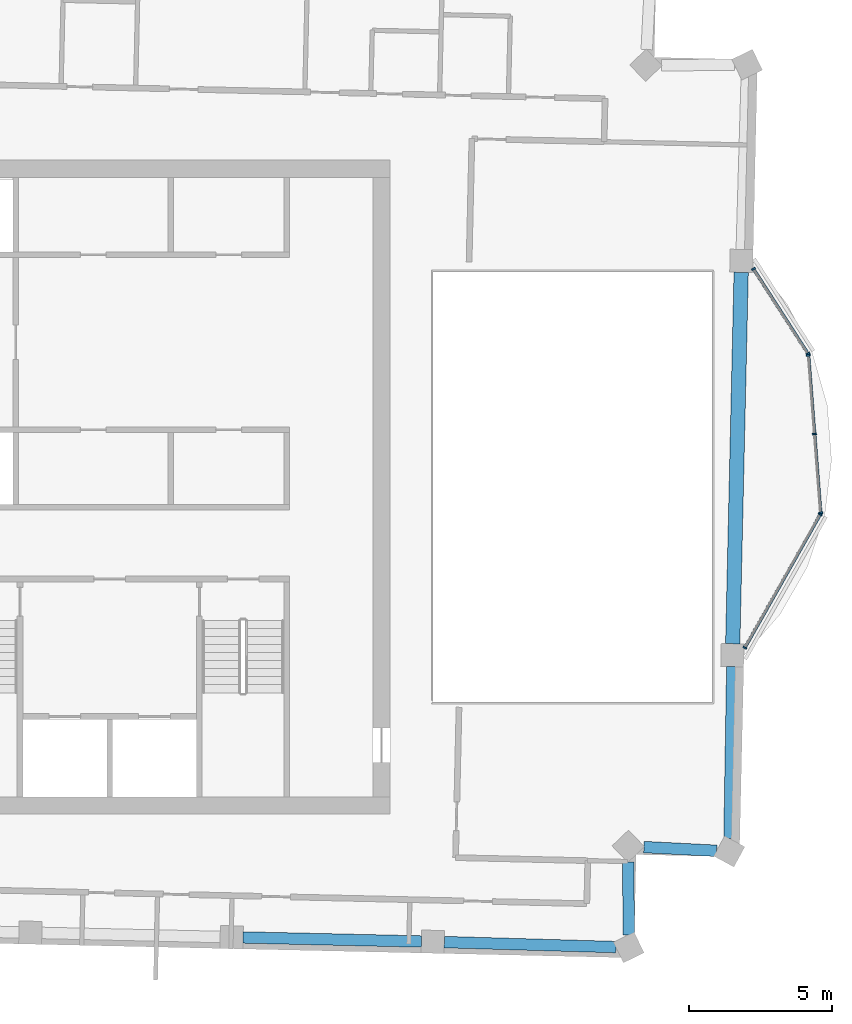
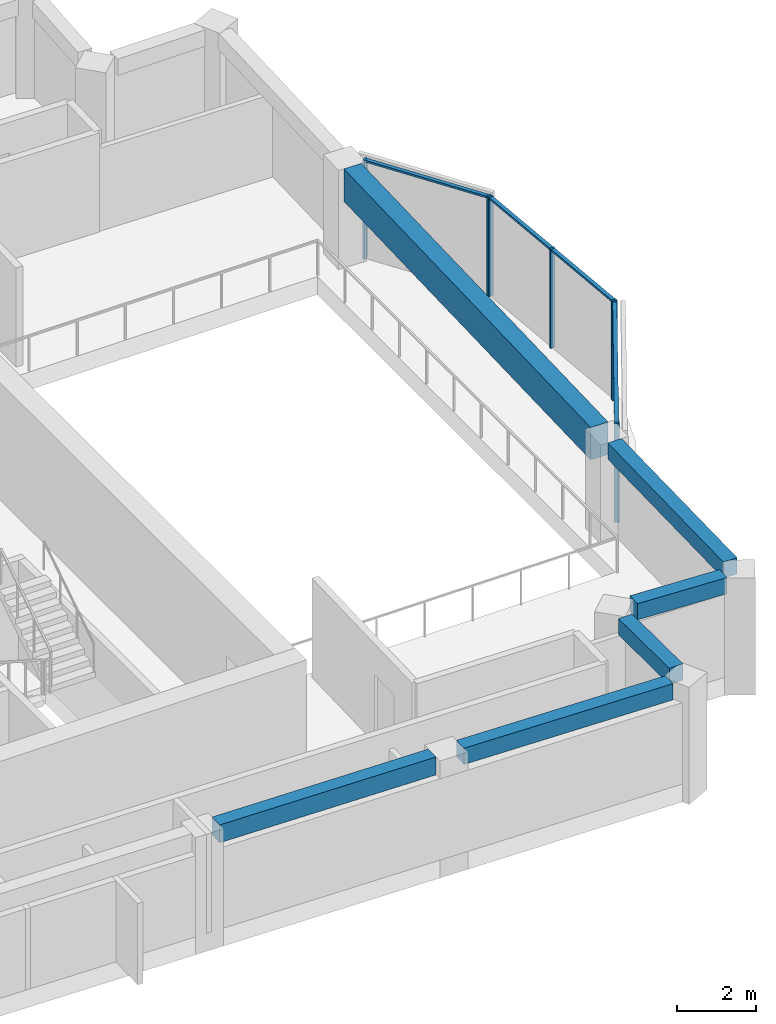
# One storey, part 5 of 12: 11 members, 6 beams, 3 elements without a shape of their own.
"""IFC4 building model written with IfcOpenShell, lengths in metres."""

from ifc_helpers import new_model, si_unit, direction, frame, origin, origin_2d, place, context, subcontext, project, spatial, rectangle, extrude, material, material_profile, profile_set, type_object, element, aggregate, save


model = new_model("IFC4")

# Units and contexts
model_context = context("Model", 3, precision=1e-05, world=origin(), true_north=direction((0.0, 1.0)))
body_context = subcontext(model_context, "Body", "Model", "MODEL_VIEW")
ifc_project = project(units=[si_unit("LENGTHUNIT", "METRE"), si_unit("AREAUNIT", "SQUARE_METRE"), si_unit("VOLUMEUNIT", "CUBIC_METRE"), si_unit("PLANEANGLEUNIT", "RADIAN"), si_unit("MASSUNIT", "GRAM", prefix="KILO")], contexts=[model_context])

# Site, building, storey
site_placement = place(None, origin())
site = spatial("IfcSite", under=ifc_project, at=site_placement, CompositionType="ELEMENT")
building_placement = place(site_placement, origin())
building = spatial("IfcBuilding", under=site, at=building_placement, Name="Mangrove Gate Tower", CompositionType="ELEMENT")
storey_placement = place(building_placement, frame((0.0, 0.0, 350.699951171875)))
storey = spatial("IfcBuildingStorey", under=building, at=storey_placement, Name="L89", CompositionType="ELEMENT", Elevation=350.699951171875)

# Curtain wall, members
ifc_material_1 = material(Name="Aluminium and glass curtain wall", Category="aluminium")
curtain_wall_type = type_object("IfcCurtainWallType", Name="Crown garden glazing wall", PredefinedType="NOTDEFINED", material=ifc_material_1)
curtain_wall_1_placement = place(storey_placement, origin())
curtain_wall_1 = element("IfcCurtainWall", 1, at=curtain_wall_1_placement, inside=storey, type_object=curtain_wall_type, Name="Crown garden glazing E1f1", PredefinedType="NOTDEFINED")
ifc_material_2 = material(Name="Aluminium alloy 6063-T6", Category="aluminium")
ifc_material_profile_1 = material_profile(ifc_material_2, rectangle(XDim=0.06005859375, YDim=0.139892578125, at=origin_2d()))
ifc_profile_set_1 = profile_set([ifc_material_profile_1], Name="Aluminium alloy 6063-T6")
member_type_1 = type_object("IfcMemberType", Name="Crown garden glazing mullion 60x140", PredefinedType="MULLION", material=ifc_profile_set_1)
member_1_placement = place(storey_placement, frame((26.767333984375, -5.598876953125, 0.0), z_axis=(0.0, 0.0, 1.0), x_axis=(0.492565535731, 0.870275354707, 0.0)))
member_1 = element("IfcMember", 2, at=member_1_placement, type_object=member_type_1, Name="CWC mullion 1", PredefinedType="MULLION", context=body_context, shape_type="SweptSolid", body=[
    extrude(rectangle(XDim=0.06005859375, YDim=0.139892578125, at=origin_2d()), origin(), (0.0, 0.0, 1.0), 3.050048828125),
])
member_2_placement = place(storey_placement, frame((29.396484375, -0.95361328125, 0.0), z_axis=(0.0, 0.0, 1.0), x_axis=(0.492565535731, 0.870275354707, 0.0)))
member_2 = element("IfcMember", 3, at=member_2_placement, type_object=member_type_1, Name="CWC mullion 2", PredefinedType="MULLION", context=body_context, shape_type="SweptSolid", body=[
    extrude(rectangle(XDim=0.06005859375, YDim=0.139892578125, at=origin_2d()), origin(), (0.0, 0.0, 1.0), 3.050048828125),
])

curtain_wall_2_placement = place(storey_placement, origin())
curtain_wall_2 = element("IfcCurtainWall", 4, at=curtain_wall_2_placement, inside=storey, type_object=curtain_wall_type, Name="Crown garden glazing E1f2", PredefinedType="NOTDEFINED")
member_3_placement = place(storey_placement, frame((29.408935546875, -0.897705078125, 0.0), z_axis=(0.0, 0.0, 1.0), x_axis=(-0.077023348386, 0.997029289341, 0.0)))
member_3 = element("IfcMember", 5, at=member_3_placement, type_object=member_type_1, Name="CWC mullion 1", PredefinedType="MULLION", context=body_context, shape_type="SweptSolid", body=[
    extrude(rectangle(XDim=0.06005859375, YDim=0.139892578125, at=origin_2d()), origin(), (0.0, 0.0, 1.0), 3.050048828125),
])
member_4_placement = place(storey_placement, frame((29.196533203125, 1.850830078125, 0.0), z_axis=(0.0, 0.0, 1.0), x_axis=(-0.077023348386, 0.997029289341, 0.0)))
member_4 = element("IfcMember", 6, at=member_4_placement, type_object=member_type_1, Name="CWC mullion 2", PredefinedType="MULLION", context=body_context, shape_type="SweptSolid", body=[
    extrude(rectangle(XDim=0.06005859375, YDim=0.139892578125, at=origin_2d()), origin(), (0.0, 0.0, 1.0), 3.050048828125),
])
member_5_placement = place(storey_placement, frame((28.984130859375, 4.599365234375, 0.0), z_axis=(0.0, 0.0, 1.0), x_axis=(-0.077023348386, 0.997029289341, 0.0)))
member_5 = element("IfcMember", 7, at=member_5_placement, type_object=member_type_1, Name="CWC mullion 3", PredefinedType="MULLION", context=body_context, shape_type="SweptSolid", body=[
    extrude(rectangle(XDim=0.06005859375, YDim=0.139892578125, at=origin_2d()), origin(), (0.0, 0.0, 1.0), 3.050048828125),
])

curtain_wall_3_placement = place(storey_placement, origin())
curtain_wall_3 = element("IfcCurtainWall", 8, at=curtain_wall_3_placement, inside=storey, type_object=curtain_wall_type, Name="Crown garden glazing E1f3", PredefinedType="NOTDEFINED")
member_6_placement = place(storey_placement, frame((28.965576171875, 4.654541015625, 0.0), z_axis=(0.0, 0.0, 1.0), x_axis=(-0.540496353657, 0.841346356552, 0.0)))
member_6 = element("IfcMember", 9, at=member_6_placement, type_object=member_type_1, Name="CWC mullion 1", PredefinedType="MULLION", context=body_context, shape_type="SweptSolid", body=[
    extrude(rectangle(XDim=0.06005859375, YDim=0.139892578125, at=origin_2d()), origin(), (0.0, 0.0, 1.0), 3.050048828125),
])
member_7_placement = place(storey_placement, frame((27.069580078125, 7.60595703125, 0.0), z_axis=(0.0, 0.0, 1.0), x_axis=(-0.540496353657, 0.841346356552, 0.0)))
member_7 = element("IfcMember", 10, at=member_7_placement, type_object=member_type_1, Name="CWC mullion 2", PredefinedType="MULLION", context=body_context, shape_type="SweptSolid", body=[
    extrude(rectangle(XDim=0.06005859375, YDim=0.139892578125, at=origin_2d()), origin(), (0.0, 0.0, 1.0), 3.050048828125),
])

# Member
ifc_material_3 = material(Name="Aluminium alloy 6063-T6", Category="aluminium")
ifc_material_profile_2 = material_profile(ifc_material_3, rectangle(XDim=0.06005859375, YDim=0.110107421875, at=origin_2d()))
ifc_profile_set_2 = profile_set([ifc_material_profile_2], Name="Aluminium alloy 6063-T6")
member_type_2 = type_object("IfcMemberType", Name="Crown garden glazing transom 60x110", PredefinedType="USERDEFINED", material=ifc_profile_set_2)
member_8_placement = place(storey_placement, frame((26.7822265625, -5.57275390625, 3.02001953125), z_axis=(0.492532775623, 0.870293895726, 0.0), x_axis=(0.0, 0.0, 1.0)))
member_8 = element("IfcMember", 11, at=member_8_placement, type_object=member_type_2, Name="CWC transom 1.2", ObjectType="TRANSOM", PredefinedType="USERDEFINED", context=body_context, shape_type="SweptSolid", body=[
    extrude(rectangle(XDim=0.06005859375, YDim=0.110107421875, at=origin_2d()), origin(), (0.0, 0.0, 1.0), 5.277587890625),
])

aggregate(curtain_wall_1, [member_1, member_2, member_8])

member_9_placement = place(storey_placement, frame((29.406494140625, -0.86767578125, 3.02001953125), z_axis=(-0.076952650158, 0.997034748458, 0.0), x_axis=(0.0, 0.0, 1.0)))
member_9 = element("IfcMember", 12, at=member_9_placement, type_object=member_type_2, Name="CWC transom 1.2", ObjectType="TRANSOM", PredefinedType="USERDEFINED", context=body_context, shape_type="SweptSolid", body=[
    extrude(rectangle(XDim=0.06005859375, YDim=0.110107421875, at=origin_2d()), origin(), (0.0, 0.0, 1.0), 2.69677734375),
])

member_10_placement = place(storey_placement, frame((29.1943359375, 1.880859375, 3.02001953125), z_axis=(-0.077042645639, 0.997027798385, 0.0), x_axis=(0.0, 0.0, 1.0)))
member_10 = element("IfcMember", 13, at=member_10_placement, type_object=member_type_2, Name="CWC transom 2.2", ObjectType="TRANSOM", PredefinedType="USERDEFINED", context=body_context, shape_type="SweptSolid", body=[
    extrude(rectangle(XDim=0.06005859375, YDim=0.110107421875, at=origin_2d()), origin(), (0.0, 0.0, 1.0), 2.69677734375),
])

aggregate(curtain_wall_2, [member_3, member_4, member_5, member_9, member_10])

member_11_placement = place(storey_placement, frame((28.949462890625, 4.6796875, 3.02001953125), z_axis=(-0.540453376302, 0.841373964444, 0.0), x_axis=(0.0, 0.0, 1.0)))
member_11 = element("IfcMember", 14, at=member_11_placement, type_object=member_type_2, Name="CWC transom 1.2", ObjectType="TRANSOM", PredefinedType="USERDEFINED", context=body_context, shape_type="SweptSolid", body=[
    extrude(rectangle(XDim=0.06005859375, YDim=0.110107421875, at=origin_2d()), origin(), (0.0, 0.0, 1.0), 3.447998046875),
])

aggregate(curtain_wall_3, [member_6, member_7, member_11])

# Beams
ifc_material_4 = material(Name="Concrete C50/60", Category="concrete")
ifc_material_profile_3 = material_profile(ifc_material_4, rectangle(XDim=0.39990234375, YDim=0.5, at=origin_2d()))
ifc_profile_set_3 = profile_set([ifc_material_profile_3], Name="Concrete C50/60")
beam_type_1 = type_object("IfcBeamType", Name="Edge beam RC 400x500 C50/60", PredefinedType="BEAM", material=ifc_profile_set_3)
beam_1_placement = place(storey_placement, frame((16.291015625, -15.86279296875, 2.800048828125), z_axis=(0.999576700811, -0.029093284389, 0.0), x_axis=(0.029093284389, 0.999576700811, 0.0)))
element("IfcBeam", 15, at=beam_1_placement, inside=storey, type_object=beam_type_1, Name="Edge beam L89 08", PredefinedType="BEAM", context=body_context, shape_type="SweptSolid", body=[
    extrude(rectangle(XDim=0.39990234375, YDim=0.5, at=origin_2d()), origin(), (0.0, 0.0, 1.0), 5.983154296875),
])
beam_2_placement = place(storey_placement, frame((22.719970703125, -15.60693359375, 2.800048828125), z_axis=(-0.005971192784, 0.999982172269, 0.0), x_axis=(-0.999982172269, -0.005971192784, 0.0)))
element("IfcBeam", 16, at=beam_2_placement, inside=storey, type_object=beam_type_1, Name="Edge beam L89 09", PredefinedType="BEAM", context=body_context, shape_type="SweptSolid", body=[
    extrude(rectangle(XDim=0.39990234375, YDim=0.5, at=origin_2d()), origin(), (0.0, 0.0, 1.0), 2.534912109375),
])
beam_3_placement = place(storey_placement, frame((23.2509765625, -12.550048828125, 2.800048828125), z_axis=(0.998686652865, -0.051234455094, 0.0), x_axis=(0.051234455094, 0.998686652865, 0.0)))
element("IfcBeam", 17, at=beam_3_placement, inside=storey, type_object=beam_type_1, Name="Edge beam L89 10", PredefinedType="BEAM", context=body_context, shape_type="SweptSolid", body=[
    extrude(rectangle(XDim=0.39990234375, YDim=0.5, at=origin_2d()), origin(), (0.0, 0.0, 1.0), 2.53515625),
])
beam_4_placement = place(storey_placement, frame((26.232666015625, -12.251708984375, 2.800048828125), z_axis=(0.016339818445, 0.999866496255, 0.0), x_axis=(-0.999866496255, 0.016339818445, 0.0)))
element("IfcBeam", 18, at=beam_4_placement, inside=storey, type_object=beam_type_1, Name="Edge beam L89 11", PredefinedType="BEAM", context=body_context, shape_type="SweptSolid", body=[
    extrude(rectangle(XDim=0.39990234375, YDim=0.5, at=origin_2d()), origin(), (0.0, 0.0, 1.0), 5.991455078125),
])
ifc_material_5 = material(Name="Concrete C50/60", Category="concrete")
ifc_material_profile_4 = material_profile(ifc_material_5, rectangle(XDim=0.39990234375, YDim=0.550048828125, at=origin_2d()))
ifc_profile_set_4 = profile_set([ifc_material_profile_4], Name="Concrete C50/60")
beam_type_2 = type_object("IfcBeamType", Name="Edge beam RC 400x550 C50/60", PredefinedType="BEAM", material=ifc_profile_set_4)
beam_5_placement = place(storey_placement, frame((9.27587890625, -15.701171875, 2.775146484375), z_axis=(0.999743252759, -0.022658962088, 0.0), x_axis=(0.022658962088, 0.999743252759, 0.0)))
element("IfcBeam", 19, at=beam_5_placement, inside=storey, type_object=beam_type_2, Name="Edge beam L89 07", PredefinedType="BEAM", context=body_context, shape_type="SweptSolid", body=[
    extrude(rectangle(XDim=0.39990234375, YDim=0.550048828125, at=origin_2d()), origin(), (0.0, 0.0, 1.0), 6.217041015625),
])
ifc_material_6 = material(Name="Concrete C50/60", Category="concrete")
ifc_material_profile_5 = material_profile(ifc_material_6, rectangle(XDim=0.5, YDim=1.0, at=origin_2d()))
ifc_profile_set_5 = profile_set([ifc_material_profile_5], Name="Concrete C50/60")
beam_type_3 = type_object("IfcBeamType", Name="Edge beam RC 500x1000 C50/60", PredefinedType="BEAM", material=ifc_profile_set_5)
beam_6_placement = place(storey_placement, frame((26.34619140625, -5.4609375, 2.550048828125), z_axis=(0.022697852467, 0.99974237056, 0.0), x_axis=(-0.99974237056, 0.022697852467, 0.0)))
element("IfcBeam", 20, at=beam_6_placement, inside=storey, type_object=beam_type_3, Name="Edge beam L89 12", PredefinedType="BEAM", context=body_context, shape_type="SweptSolid", body=[
    extrude(rectangle(XDim=0.5, YDim=1.0, at=origin_2d()), origin(), (0.0, 0.0, 1.0), 12.950439453125),
])

save(model, "model.ifc")
